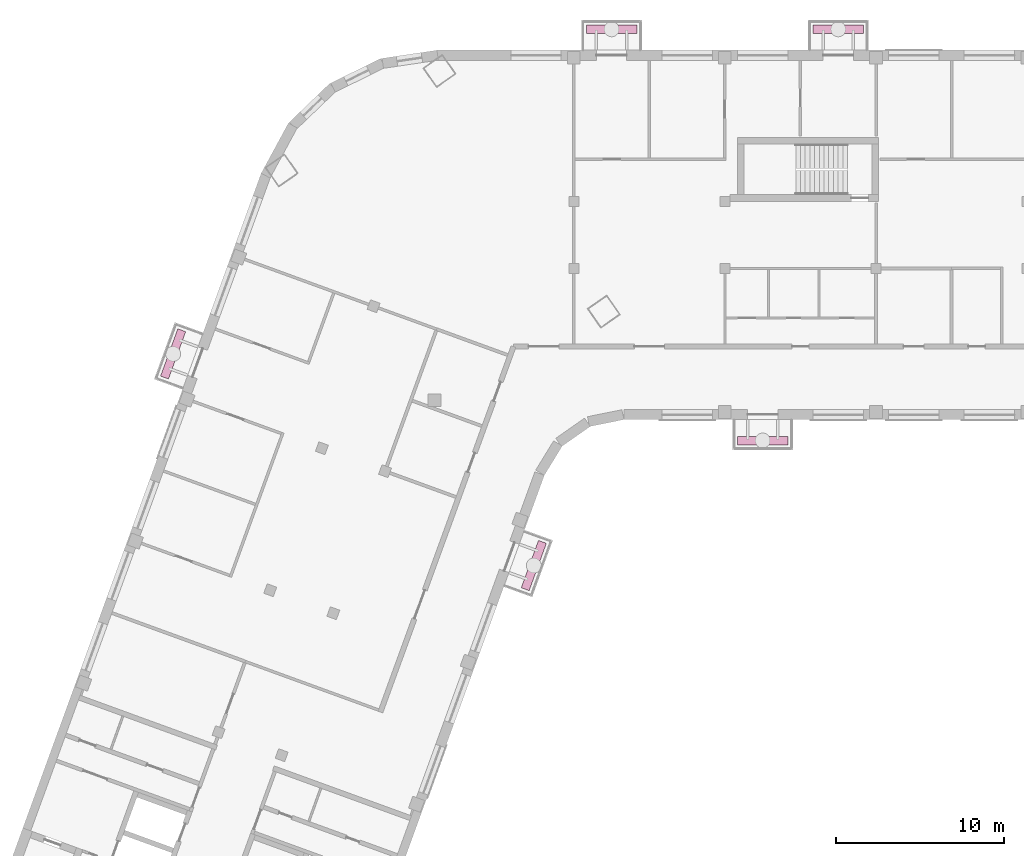
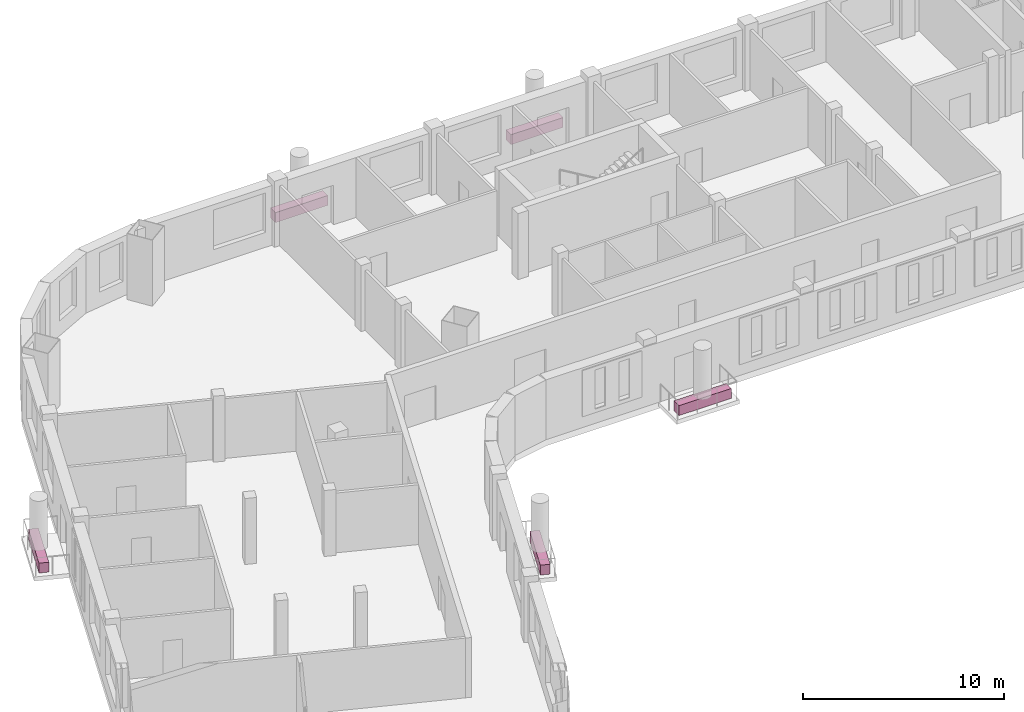
# One storey, part 9 of 10: 5 furniture elements.
"""IFC4 building model written with IfcOpenShell, lengths in metres."""

from ifc_helpers import new_model, si_unit, direction, frame, origin, origin_2d, place, context, subcontext, project, spatial, rectangle, extrude, element, save


model = new_model("IFC4")

# Units and contexts
model_context = context("Model", 3, precision=1e-05, world=origin(), true_north=direction((0.0, 1.0)))
body_context = subcontext(model_context, "Body", "Model", "MODEL_VIEW")
ifc_project = project(units=[si_unit("LENGTHUNIT", "METRE"), si_unit("AREAUNIT", "SQUARE_METRE"), si_unit("VOLUMEUNIT", "CUBIC_METRE"), si_unit("PLANEANGLEUNIT", "RADIAN"), si_unit("MASSUNIT", "GRAM", prefix="KILO")], contexts=[model_context])

# Site, building, storey
site_placement = place(None, origin())
site = spatial("IfcSite", under=ifc_project, at=site_placement, CompositionType="ELEMENT")
building_placement = place(site_placement, origin())
building = spatial("IfcBuilding", under=site, at=building_placement, Name="Skarvind Civic Tower", CompositionType="ELEMENT")
storey_placement = place(building_placement, frame((0.0, 0.0, 228.0)))
storey = spatial("IfcBuildingStorey", under=building, at=storey_placement, Name="L54", CompositionType="ELEMENT", Elevation=228.0)

# Furniture
for number, where, z_axis, x_axis, name in (
    (1, (51.867919921875, 108.305419921875, 0.0), (0.0, 0.0, 1.0), (-0.342020143326, -0.939692620786, 0.0), "TREE BALCONY PLANTER"),
    (2, (65.5, 115.75, 0.0), (0.0, 0.0, 1.0), (-1.0, 0.0, 0.0), "TREE BALCONY PLANTER"),
    (3, (56.5, 140.25, 0.0), (0.0, 0.0, 1.0), (1.0, 0.0, 0.0), "TREE BALCONY PLANTER"),
    (4, (70.0, 140.25, 0.0), (0.0, 0.0, 1.0), (1.0, 0.0, 0.0), "TREE BALCONY PLANTER"),
    (5, (30.384521484375, 120.91357421875, 0.0), (0.0, 0.0, 1.0), (0.342020143326, 0.939692620786, 0.0), "TREE BALCONY PLANTER"),
):
    element("IfcFurniture", number, at=place(storey_placement, frame(where, z_axis=z_axis, x_axis=x_axis)), inside=storey, Name=name, ObjectType="PLANTER", PredefinedType="USERDEFINED", context=body_context, shape_type="SweptSolid", body=[
        extrude(rectangle(XDim=3.0, YDim=0.5, at=origin_2d()), origin(), (0.0, 0.0, 1.0), 0.60009765625),
    ])

save(model, "model.ifc")
